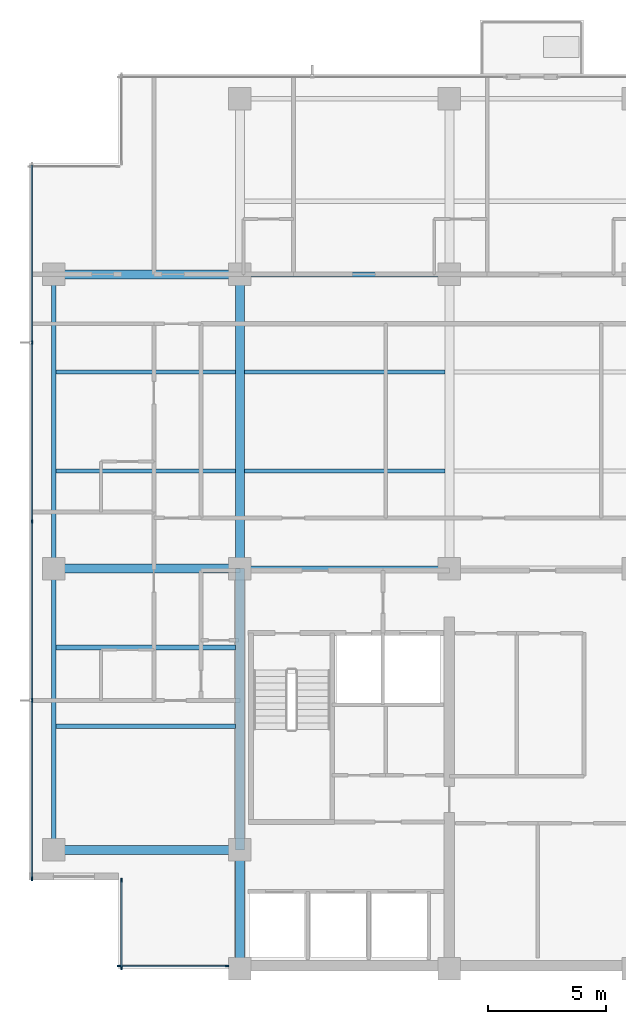
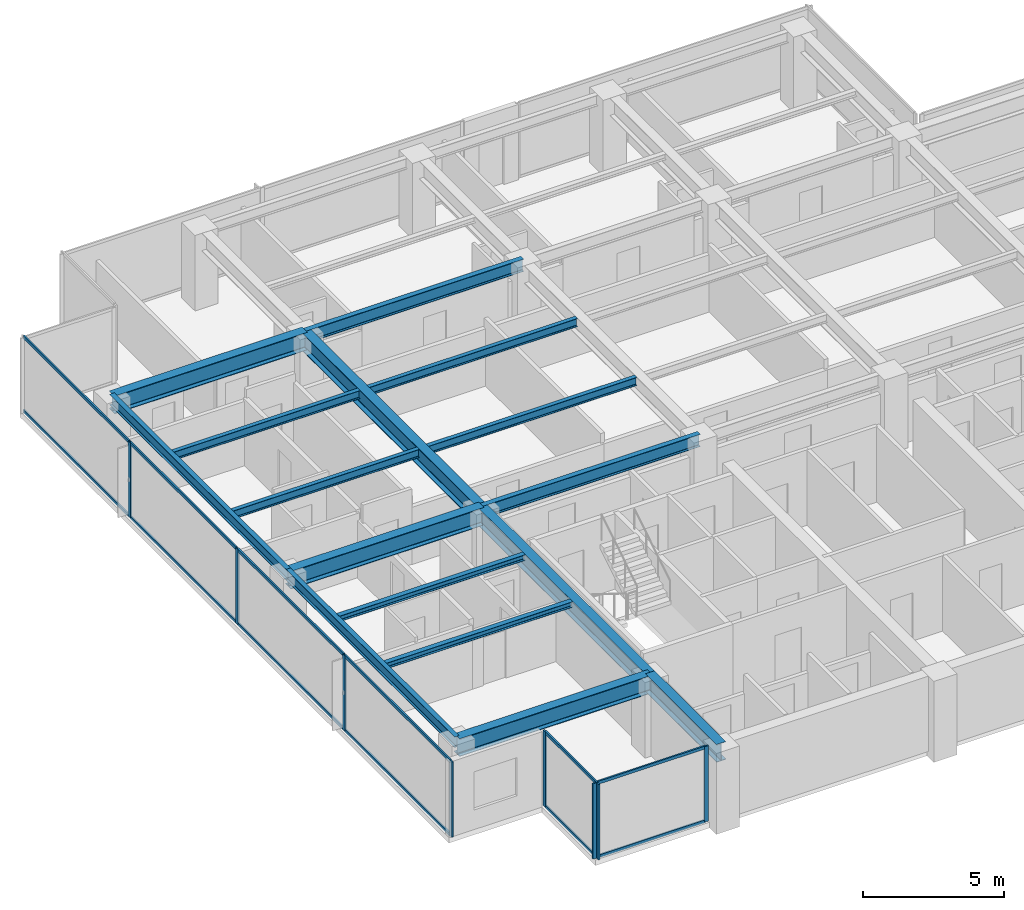
# One storey, part 2 of 15: 20 members, 16 beams, 3 elements without a shape of their own.
"""IFC4 building model written with IfcOpenShell, lengths in metres."""

from ifc_helpers import new_model, si_unit, direction, frame, origin, origin_2d, place, context, subcontext, project, spatial, rectangle, i_section, extrude, material, layer, layer_set, material_profile, profile_set, type_object, element, aggregate, save


model = new_model("IFC4")

# Units and contexts
model_context = context("Model", 3, precision=1e-05, world=origin(), true_north=direction((0.0, 1.0)))
body_context = subcontext(model_context, "Body", "Model", "MODEL_VIEW")
ifc_project = project(units=[si_unit("LENGTHUNIT", "METRE"), si_unit("AREAUNIT", "SQUARE_METRE"), si_unit("VOLUMEUNIT", "CUBIC_METRE"), si_unit("PLANEANGLEUNIT", "RADIAN"), si_unit("MASSUNIT", "GRAM", prefix="KILO")], contexts=[model_context])

# Site, building, storey
site_placement = place(None, origin())
site = spatial("IfcSite", under=ifc_project, at=site_placement, CompositionType="ELEMENT")
building_placement = place(site_placement, origin())
building = spatial("IfcBuilding", under=site, at=building_placement, Name="Qalmaran Belvedere Hotel", CompositionType="ELEMENT")
storey_placement = place(building_placement, frame((0.0, 0.0, 214.39990234375)))
storey = spatial("IfcBuildingStorey", under=building, at=storey_placement, Name="L54", CompositionType="ELEMENT", Elevation=214.39990234375)

# Beams
ifc_material_1 = material(Name="Steel S355JR", Category="steel")
ifc_material_profile_1 = material_profile(ifc_material_1, i_section(OverallWidth=0.201904296875, OverallDepth=0.2470703125, WebThickness=0.00732421875, FlangeThickness=0.010986328125, FilletRadius=0.011962890625, at=origin_2d()), Name="W250X49")
ifc_profile_set_1 = profile_set([ifc_material_profile_1], Name="Steel S355JR")
beam_type_1 = type_object("IfcBeamType", Name="BM-JST-W250X49", PredefinedType="JOIST", material=ifc_profile_set_1)
for number, where, z_axis, x_axis, name in (
    (1, (12.493896484375, 13.800048828125, 3.13671875), (1.0, 0.0, 0.0), (0.0, 1.0, 0.0), "L54 West Wing Joist 038"),
    (2, (12.493896484375, 17.14990234375, 3.13671875), (1.0, 0.0, 0.0), (0.0, 1.0, 0.0), "L54 West Wing Joist 040"),
):
    element("IfcBeam", number, at=place(storey_placement, frame(where, z_axis=z_axis, x_axis=x_axis)), inside=storey, type_object=beam_type_1, Name=name, PredefinedType="JOIST", context=body_context, shape_type="SweptSolid", body=[
        extrude(i_section(OverallWidth=0.201904296875, OverallDepth=0.2470703125, WebThickness=0.00732421875, FlangeThickness=0.010986328125, FilletRadius=0.011962890625, at=origin_2d()), origin(), (0.0, 0.0, 1.0), 7.61767578125),
    ])
ifc_material_profile_2 = material_profile(ifc_material_1, i_section(OverallWidth=0.381103515625, OverallDepth=0.77294921875, WebThickness=0.0166015625, FlangeThickness=0.027099609375, FilletRadius=0.02197265625, at=origin_2d()), Name="W760X257")
ifc_profile_set_2 = profile_set([ifc_material_profile_2], Name="Steel S355JR")
beam_type_2 = type_object("IfcBeamType", Name="BM-PG4-W760X257", PredefinedType="USERDEFINED", material=ifc_profile_set_2)
beam_1_placement = place(storey_placement, frame((20.300048828125, 20.5, 2.87353515625), z_axis=(0.0, 1.0, 0.0), x_axis=(-1.0, 0.0, 0.0)))
element("IfcBeam", 3, at=beam_1_placement, inside=storey, type_object=beam_type_2, Name="L54 Mid-Plate N-S Girder 14", ObjectType="GIRDER", PredefinedType="USERDEFINED", context=body_context, shape_type="SweptSolid", body=[
    extrude(i_section(OverallWidth=0.381103515625, OverallDepth=0.77294921875, WebThickness=0.0166015625, FlangeThickness=0.027099609375, FilletRadius=0.02197265625, at=origin_2d()), origin(), (0.0, 0.0, 1.0), 12.5),
])
for number, where, z_axis, x_axis, name in (
    (4, (12.39990234375, 8.550048828125, 2.87353515625), (1.0, 0.0, 0.0), (0.0, 1.0, 0.0), "L54 West Wing Girder 22"),
    (5, (12.39990234375, 20.5, 2.87353515625), (1.0, 0.0, 0.0), (0.0, 1.0, 0.0), "L54 West Wing Girder 23"),
    (6, (12.39990234375, 33.0, 2.87353515625), (1.0, 0.0, 0.0), (0.0, 1.0, 0.0), "L54 West Wing Girder 24"),
):
    element("IfcBeam", number, at=place(storey_placement, frame(where, z_axis=z_axis, x_axis=x_axis)), inside=storey, type_object=beam_type_2, Name=name, ObjectType="GIRDER", PredefinedType="USERDEFINED", context=body_context, shape_type="SweptSolid", body=[
        extrude(i_section(OverallWidth=0.381103515625, OverallDepth=0.77294921875, WebThickness=0.0166015625, FlangeThickness=0.027099609375, FilletRadius=0.02197265625, at=origin_2d()), origin(), (0.0, 0.0, 1.0), 7.900146484375),
    ])
beam_2_placement = place(storey_placement, frame((20.300048828125, 3.5, 2.87353515625), z_axis=(0.0, 1.0, 0.0), x_axis=(-1.0, 0.0, 0.0)))
element("IfcBeam", 7, at=beam_2_placement, inside=storey, type_object=beam_type_2, Name="L54 West Core Edge Girder A", ObjectType="GIRDER", PredefinedType="USERDEFINED", context=body_context, shape_type="SweptSolid", body=[
    extrude(i_section(OverallWidth=0.381103515625, OverallDepth=0.77294921875, WebThickness=0.0166015625, FlangeThickness=0.027099609375, FilletRadius=0.02197265625, at=origin_2d()), origin(), (0.0, 0.0, 1.0), 5.050048828125),
])
beam_3_placement = place(storey_placement, frame((20.300048828125, 8.550048828125, 2.87353515625), z_axis=(0.0, 1.0, 0.0), x_axis=(-1.0, 0.0, 0.0)))
element("IfcBeam", 8, at=beam_3_placement, inside=storey, type_object=beam_type_2, Name="L54 West Core Edge Girder B", ObjectType="GIRDER", PredefinedType="USERDEFINED", context=body_context, shape_type="SweptSolid", body=[
    extrude(i_section(OverallWidth=0.381103515625, OverallDepth=0.77294921875, WebThickness=0.0166015625, FlangeThickness=0.027099609375, FilletRadius=0.02197265625, at=origin_2d()), origin(), (0.0, 0.0, 1.0), 11.949951171875),
])
ifc_material_profile_3 = material_profile(ifc_material_1, i_section(OverallWidth=0.172119140625, OverallDepth=0.35791015625, WebThickness=0.0078125, FlangeThickness=0.01318359375, FilletRadius=0.014892578125, at=origin_2d()), Name="W360X57")
ifc_profile_set_3 = profile_set([ifc_material_profile_3], Name="Steel S355JR")
beam_type_3 = type_object("IfcBeamType", Name="BM-SB4-W360X57", PredefinedType="BEAM", material=ifc_profile_set_3)
beam_4_placement = place(storey_placement, frame((12.493896484375, 24.64990234375, 3.0810546875), z_axis=(1.0, 0.0, 0.0), x_axis=(0.0, 1.0, 0.0)))
element("IfcBeam", 9, at=beam_4_placement, inside=storey, type_object=beam_type_3, Name="L54 West Secondary Beam 028", PredefinedType="BEAM", context=body_context, shape_type="SweptSolid", body=[
    extrude(i_section(OverallWidth=0.172119140625, OverallDepth=0.35791015625, WebThickness=0.0078125, FlangeThickness=0.01318359375, FilletRadius=0.014892578125, at=origin_2d()), origin(), (0.0, 0.0, 1.0), 7.61767578125),
])
beam_5_placement = place(storey_placement, frame((20.488525390625, 24.64990234375, 3.0810546875), z_axis=(1.0, 0.0, 0.0), x_axis=(0.0, 1.0, 0.0)))
element("IfcBeam", 10, at=beam_5_placement, inside=storey, type_object=beam_type_3, Name="L54 Secondary Floor Beam 029", PredefinedType="BEAM", context=body_context, shape_type="SweptSolid", body=[
    extrude(i_section(OverallWidth=0.172119140625, OverallDepth=0.35791015625, WebThickness=0.0078125, FlangeThickness=0.01318359375, FilletRadius=0.014892578125, at=origin_2d()), origin(), (0.0, 0.0, 1.0), 8.52294921875),
])
beam_6_placement = place(storey_placement, frame((12.493896484375, 28.85009765625, 3.0810546875), z_axis=(1.0, 0.0, 0.0), x_axis=(0.0, 1.0, 0.0)))
element("IfcBeam", 11, at=beam_6_placement, inside=storey, type_object=beam_type_3, Name="L54 West Secondary Beam 033", PredefinedType="BEAM", context=body_context, shape_type="SweptSolid", body=[
    extrude(i_section(OverallWidth=0.172119140625, OverallDepth=0.35791015625, WebThickness=0.0078125, FlangeThickness=0.01318359375, FilletRadius=0.014892578125, at=origin_2d()), origin(), (0.0, 0.0, 1.0), 7.61767578125),
])
beam_7_placement = place(storey_placement, frame((20.488525390625, 28.85009765625, 3.0810546875), z_axis=(1.0, 0.0, 0.0), x_axis=(0.0, 1.0, 0.0)))
element("IfcBeam", 12, at=beam_7_placement, inside=storey, type_object=beam_type_3, Name="L54 Secondary Floor Beam 034", PredefinedType="BEAM", context=body_context, shape_type="SweptSolid", body=[
    extrude(i_section(OverallWidth=0.172119140625, OverallDepth=0.35791015625, WebThickness=0.0078125, FlangeThickness=0.01318359375, FilletRadius=0.014892578125, at=origin_2d()), origin(), (0.0, 0.0, 1.0), 8.52294921875),
])
ifc_material_profile_4 = material_profile(ifc_material_1, i_section(OverallWidth=0.19189453125, OverallDepth=0.462890625, WebThickness=0.010498046875, FlangeThickness=0.017578125, FilletRadius=0.01611328125, at=origin_2d()), Name="W460X89")
ifc_profile_set_4 = profile_set([ifc_material_profile_4], Name="Steel S355JR")
beam_type_4 = type_object("IfcBeamType", Name="BM-SP2-W460X89", PredefinedType="SPANDREL", material=ifc_profile_set_4)
beam_8_placement = place(storey_placement, frame((12.39990234375, 8.550048828125, 3.028564453125), z_axis=(0.0, 1.0, 0.0), x_axis=(-1.0, 0.0, 0.0)))
element("IfcBeam", 13, at=beam_8_placement, inside=storey, type_object=beam_type_4, Name="L54 Perimeter Spandrel 01", PredefinedType="SPANDREL", context=body_context, shape_type="SweptSolid", body=[
    extrude(i_section(OverallWidth=0.19189453125, OverallDepth=0.462890625, WebThickness=0.010498046875, FlangeThickness=0.017578125, FilletRadius=0.01611328125, at=origin_2d()), origin(), (0.0, 0.0, 1.0), 11.949951171875),
])
beam_9_placement = place(storey_placement, frame((12.39990234375, 20.5, 3.028564453125), z_axis=(0.0, 1.0, 0.0), x_axis=(-1.0, 0.0, 0.0)))
element("IfcBeam", 14, at=beam_9_placement, inside=storey, type_object=beam_type_4, Name="L54 Perimeter Spandrel 02", PredefinedType="SPANDREL", context=body_context, shape_type="SweptSolid", body=[
    extrude(i_section(OverallWidth=0.19189453125, OverallDepth=0.462890625, WebThickness=0.010498046875, FlangeThickness=0.017578125, FilletRadius=0.01611328125, at=origin_2d()), origin(), (0.0, 0.0, 1.0), 12.5),
])
ifc_material_profile_5 = material_profile(ifc_material_1, i_section(OverallWidth=0.2109375, OverallDepth=0.5390625, WebThickness=0.01171875, FlangeThickness=0.018798828125, FilletRadius=0.01806640625, at=origin_2d()), Name="W530X109")
ifc_profile_set_5 = profile_set([ifc_material_profile_5], Name="Steel S355JR")
beam_type_5 = type_object("IfcBeamType", Name="BM-Z4-W530X109", PredefinedType="USERDEFINED", material=ifc_profile_set_5)
for number, where, z_axis, x_axis, name in (
    (15, (20.300048828125, 20.5, 2.990478515625), (1.0, 0.0, 0.0), (0.0, 1.0, 0.0), "L54 Interior E-W Girder 08"),
    (16, (20.300048828125, 33.0, 2.990478515625), (1.0, 0.0, 0.0), (0.0, 1.0, 0.0), "L54 Interior E-W Girder 11"),
):
    element("IfcBeam", number, at=place(storey_placement, frame(where, z_axis=z_axis, x_axis=x_axis)), inside=storey, type_object=beam_type_5, Name=name, ObjectType="GIRDER", PredefinedType="USERDEFINED", context=body_context, shape_type="SweptSolid", body=[
        extrude(i_section(OverallWidth=0.2109375, OverallDepth=0.5390625, WebThickness=0.01171875, FlangeThickness=0.018798828125, FilletRadius=0.01806640625, at=origin_2d()), origin(), (0.0, 0.0, 1.0), 8.89990234375),
    ])

# Curtain wall, members
ifc_material_2 = material(Name="Anodised Bronze Aluminium", Category="aluminium")
ifc_layer = layer(ifc_material_2, 0.18994140625, Name="Anodised Bronze Aluminium")
ifc_layer_set = layer_set([ifc_layer], Name="Anodised Bronze Aluminium")
curtain_wall_type = type_object("IfcCurtainWallType", Name="CW5-TOWER-UPPER", PredefinedType="NOTDEFINED", material=ifc_layer_set)
curtain_wall_1_placement = place(storey_placement, origin())
curtain_wall_1 = element("IfcCurtainWall", 17, at=curtain_wall_1_placement, inside=storey, type_object=curtain_wall_type, Name="L54 Curtain Wall CW5", PredefinedType="NOTDEFINED")
ifc_material_profile_6 = material_profile(ifc_material_2, rectangle(XDim=0.06494140625, YDim=0.1650390625, at=origin_2d()), Name="CWM65X165")
ifc_profile_set_6 = profile_set([ifc_material_profile_6], Name="Anodised Bronze Aluminium")
member_type_1 = type_object("IfcMemberType", Name="CWM-65X165", PredefinedType="MULLION", material=ifc_profile_set_6)
member_1_placement = place(storey_placement, frame((15.1826171875, 3.6201171875, 0.0), z_axis=(0.0, 0.0, 1.0), x_axis=(0.0, 1.0, 0.0)))
member_1 = element("IfcMember", 18, at=member_1_placement, type_object=member_type_1, Name="CW5 mullion 1", PredefinedType="MULLION", context=body_context, shape_type="SweptSolid", body=[
    extrude(rectangle(XDim=0.06494140625, YDim=0.1650390625, at=origin_2d()), origin(), (0.0, 0.0, 1.0), 3.260009765625),
])
member_2_placement = place(storey_placement, frame((19.75244140625, 3.6201171875, 0.0), z_axis=(0.0, 0.0, 1.0), x_axis=(0.0, 1.0, 0.0)))
member_2 = element("IfcMember", 19, at=member_2_placement, type_object=member_type_1, Name="CW5 mullion 2", PredefinedType="MULLION", context=body_context, shape_type="SweptSolid", body=[
    extrude(rectangle(XDim=0.06494140625, YDim=0.1650390625, at=origin_2d()), origin(), (0.0, 0.0, 1.0), 3.260009765625),
])

curtain_wall_2_placement = place(storey_placement, origin())
curtain_wall_2 = element("IfcCurtainWall", 20, at=curtain_wall_2_placement, inside=storey, type_object=curtain_wall_type, Name="L54 Curtain Wall CW5", PredefinedType="NOTDEFINED")
member_3_placement = place(storey_placement, frame((11.469970703125, 30.10009765625, 0.0), z_axis=(0.0, 0.0, 1.0), x_axis=(1.0, 0.0, 0.0)))
member_3 = element("IfcMember", 21, at=member_3_placement, type_object=member_type_1, Name="CW5 mullion 2", PredefinedType="MULLION", context=body_context, shape_type="SweptSolid", body=[
    extrude(rectangle(XDim=0.06494140625, YDim=0.1650390625, at=origin_2d()), origin(), (0.0, 0.0, 1.0), 3.260009765625),
])
member_4_placement = place(storey_placement, frame((11.469970703125, 22.5, 0.0), z_axis=(0.0, 0.0, 1.0), x_axis=(1.0, 0.0, 0.0)))
member_4 = element("IfcMember", 22, at=member_4_placement, type_object=member_type_1, Name="CW5 mullion 3", PredefinedType="MULLION", context=body_context, shape_type="SweptSolid", body=[
    extrude(rectangle(XDim=0.06494140625, YDim=0.1650390625, at=origin_2d()), origin(), (0.0, 0.0, 1.0), 3.260009765625),
])
member_5_placement = place(storey_placement, frame((11.469970703125, 14.89990234375, 0.0), z_axis=(0.0, 0.0, 1.0), x_axis=(1.0, 0.0, 0.0)))
member_5 = element("IfcMember", 23, at=member_5_placement, type_object=member_type_1, Name="CW5 mullion 4", PredefinedType="MULLION", context=body_context, shape_type="SweptSolid", body=[
    extrude(rectangle(XDim=0.06494140625, YDim=0.1650390625, at=origin_2d()), origin(), (0.0, 0.0, 1.0), 3.260009765625),
])
member_6_placement = place(storey_placement, frame((11.469970703125, 7.33251953125, 0.0), z_axis=(0.0, 0.0, 1.0), x_axis=(1.0, 0.0, 0.0)))
member_6 = element("IfcMember", 24, at=member_6_placement, type_object=member_type_1, Name="CW5 mullion 5", PredefinedType="MULLION", context=body_context, shape_type="SweptSolid", body=[
    extrude(rectangle(XDim=0.06494140625, YDim=0.1650390625, at=origin_2d()), origin(), (0.0, 0.0, 1.0), 3.260009765625),
])

curtain_wall_3_placement = place(storey_placement, origin())
curtain_wall_3 = element("IfcCurtainWall", 25, at=curtain_wall_3_placement, inside=storey, type_object=curtain_wall_type, Name="L54 Curtain Wall CW5", PredefinedType="NOTDEFINED")
member_7_placement = place(storey_placement, frame((15.27001953125, 7.267578125, 0.0), z_axis=(0.0, 0.0, 1.0), x_axis=(1.0, 0.0, 0.0)))
member_7 = element("IfcMember", 26, at=member_7_placement, type_object=member_type_1, Name="CW5 mullion 1", PredefinedType="MULLION", context=body_context, shape_type="SweptSolid", body=[
    extrude(rectangle(XDim=0.06494140625, YDim=0.1650390625, at=origin_2d()), origin(), (0.0, 0.0, 1.0), 3.260009765625),
])
member_8_placement = place(storey_placement, frame((15.27001953125, 3.532470703125, 0.0), z_axis=(0.0, 0.0, 1.0), x_axis=(1.0, 0.0, 0.0)))
member_8 = element("IfcMember", 27, at=member_8_placement, type_object=member_type_1, Name="CW5 mullion 2", PredefinedType="MULLION", context=body_context, shape_type="SweptSolid", body=[
    extrude(rectangle(XDim=0.06494140625, YDim=0.1650390625, at=origin_2d()), origin(), (0.0, 0.0, 1.0), 3.260009765625),
])

# Member
ifc_material_profile_7 = material_profile(ifc_material_2, rectangle(XDim=0.06494140625, YDim=0.1298828125, at=origin_2d()), Name="CWT65X130")
ifc_profile_set_7 = profile_set([ifc_material_profile_7], Name="Anodised Bronze Aluminium")
member_type_2 = type_object("IfcMemberType", Name="CWT-65X130", PredefinedType="USERDEFINED", material=ifc_profile_set_7)
member_9_placement = place(storey_placement, frame((15.215087890625, 3.6201171875, 0.03271484375), z_axis=(1.0, 0.0, 0.0), x_axis=(0.0, 1.0, 0.0)))
member_9 = element("IfcMember", 28, at=member_9_placement, type_object=member_type_2, Name="CW5 transom 1.1", ObjectType="TRANSOM", PredefinedType="USERDEFINED", context=body_context, shape_type="SweptSolid", body=[
    extrude(rectangle(XDim=0.06494140625, YDim=0.1298828125, at=origin_2d()), origin(), (0.0, 0.0, 1.0), 4.5048828125),
])

member_10_placement = place(storey_placement, frame((15.215087890625, 3.6201171875, 3.2275390625), z_axis=(1.0, 0.0, 0.0), x_axis=(0.0, 1.0, 0.0)))
member_10 = element("IfcMember", 29, at=member_10_placement, type_object=member_type_2, Name="CW5 transom 1.2", ObjectType="TRANSOM", PredefinedType="USERDEFINED", context=body_context, shape_type="SweptSolid", body=[
    extrude(rectangle(XDim=0.06494140625, YDim=0.1298828125, at=origin_2d()), origin(), (0.0, 0.0, 1.0), 4.5048828125),
])

aggregate(curtain_wall_1, [member_1, member_2, member_9, member_10])

member_11_placement = place(storey_placement, frame((11.469970703125, 37.635009765625, 0.03271484375), z_axis=(0.0, -1.0, 0.0), x_axis=(1.0, 0.0, 0.0)))
member_11 = element("IfcMember", 30, at=member_11_placement, type_object=member_type_2, Name="CW5 transom 1.1", ObjectType="TRANSOM", PredefinedType="USERDEFINED", context=body_context, shape_type="SweptSolid", body=[
    extrude(rectangle(XDim=0.06494140625, YDim=0.1298828125, at=origin_2d()), origin(), (0.0, 0.0, 1.0), 7.50244140625),
])

member_12_placement = place(storey_placement, frame((11.469970703125, 37.635009765625, 3.2275390625), z_axis=(0.0, -1.0, 0.0), x_axis=(1.0, 0.0, 0.0)))
member_12 = element("IfcMember", 31, at=member_12_placement, type_object=member_type_2, Name="CW5 transom 1.2", ObjectType="TRANSOM", PredefinedType="USERDEFINED", context=body_context, shape_type="SweptSolid", body=[
    extrude(rectangle(XDim=0.06494140625, YDim=0.1298828125, at=origin_2d()), origin(), (0.0, 0.0, 1.0), 7.50244140625),
])

member_13_placement = place(storey_placement, frame((11.469970703125, 30.0673828125, 0.03271484375), z_axis=(0.0, -1.0, 0.0), x_axis=(1.0, 0.0, 0.0)))
member_13 = element("IfcMember", 32, at=member_13_placement, type_object=member_type_2, Name="CW5 transom 2.1", ObjectType="TRANSOM", PredefinedType="USERDEFINED", context=body_context, shape_type="SweptSolid", body=[
    extrude(rectangle(XDim=0.06494140625, YDim=0.1298828125, at=origin_2d()), origin(), (0.0, 0.0, 1.0), 7.534912109375),
])

member_14_placement = place(storey_placement, frame((11.469970703125, 30.0673828125, 3.2275390625), z_axis=(0.0, -1.0, 0.0), x_axis=(1.0, 0.0, 0.0)))
member_14 = element("IfcMember", 33, at=member_14_placement, type_object=member_type_2, Name="CW5 transom 2.2", ObjectType="TRANSOM", PredefinedType="USERDEFINED", context=body_context, shape_type="SweptSolid", body=[
    extrude(rectangle(XDim=0.06494140625, YDim=0.1298828125, at=origin_2d()), origin(), (0.0, 0.0, 1.0), 7.534912109375),
])

member_15_placement = place(storey_placement, frame((11.469970703125, 22.467529296875, 0.03271484375), z_axis=(0.0, -1.0, 0.0), x_axis=(1.0, 0.0, 0.0)))
member_15 = element("IfcMember", 34, at=member_15_placement, type_object=member_type_2, Name="CW5 transom 3.1", ObjectType="TRANSOM", PredefinedType="USERDEFINED", context=body_context, shape_type="SweptSolid", body=[
    extrude(rectangle(XDim=0.06494140625, YDim=0.1298828125, at=origin_2d()), origin(), (0.0, 0.0, 1.0), 7.534912109375),
])

member_16_placement = place(storey_placement, frame((11.469970703125, 22.467529296875, 3.2275390625), z_axis=(0.0, -1.0, 0.0), x_axis=(1.0, 0.0, 0.0)))
member_16 = element("IfcMember", 35, at=member_16_placement, type_object=member_type_2, Name="CW5 transom 3.2", ObjectType="TRANSOM", PredefinedType="USERDEFINED", context=body_context, shape_type="SweptSolid", body=[
    extrude(rectangle(XDim=0.06494140625, YDim=0.1298828125, at=origin_2d()), origin(), (0.0, 0.0, 1.0), 7.534912109375),
])

member_17_placement = place(storey_placement, frame((11.469970703125, 14.867431640625, 0.03271484375), z_axis=(0.0, -1.0, 0.0), x_axis=(1.0, 0.0, 0.0)))
member_17 = element("IfcMember", 36, at=member_17_placement, type_object=member_type_2, Name="CW5 transom 4.1", ObjectType="TRANSOM", PredefinedType="USERDEFINED", context=body_context, shape_type="SweptSolid", body=[
    extrude(rectangle(XDim=0.06494140625, YDim=0.1298828125, at=origin_2d()), origin(), (0.0, 0.0, 1.0), 7.50244140625),
])

member_18_placement = place(storey_placement, frame((11.469970703125, 14.867431640625, 3.2275390625), z_axis=(0.0, -1.0, 0.0), x_axis=(1.0, 0.0, 0.0)))
member_18 = element("IfcMember", 37, at=member_18_placement, type_object=member_type_2, Name="CW5 transom 4.2", ObjectType="TRANSOM", PredefinedType="USERDEFINED", context=body_context, shape_type="SweptSolid", body=[
    extrude(rectangle(XDim=0.06494140625, YDim=0.1298828125, at=origin_2d()), origin(), (0.0, 0.0, 1.0), 7.50244140625),
])

aggregate(curtain_wall_2, [member_3, member_4, member_5, member_6, member_11, member_12, member_13, member_14, member_15, member_16, member_17, member_18])

member_19_placement = place(storey_placement, frame((15.27001953125, 7.235107421875, 0.03271484375), z_axis=(0.0, -1.0, 0.0), x_axis=(1.0, 0.0, 0.0)))
member_19 = element("IfcMember", 38, at=member_19_placement, type_object=member_type_2, Name="CW5 transom 1.1", ObjectType="TRANSOM", PredefinedType="USERDEFINED", context=body_context, shape_type="SweptSolid", body=[
    extrude(rectangle(XDim=0.06494140625, YDim=0.1298828125, at=origin_2d()), origin(), (0.0, 0.0, 1.0), 3.670166015625),
])

member_20_placement = place(storey_placement, frame((15.27001953125, 7.235107421875, 3.2275390625), z_axis=(0.0, -1.0, 0.0), x_axis=(1.0, 0.0, 0.0)))
member_20 = element("IfcMember", 39, at=member_20_placement, type_object=member_type_2, Name="CW5 transom 1.2", ObjectType="TRANSOM", PredefinedType="USERDEFINED", context=body_context, shape_type="SweptSolid", body=[
    extrude(rectangle(XDim=0.06494140625, YDim=0.1298828125, at=origin_2d()), origin(), (0.0, 0.0, 1.0), 3.670166015625),
])

aggregate(curtain_wall_3, [member_7, member_8, member_19, member_20])

save(model, "model.ifc")
